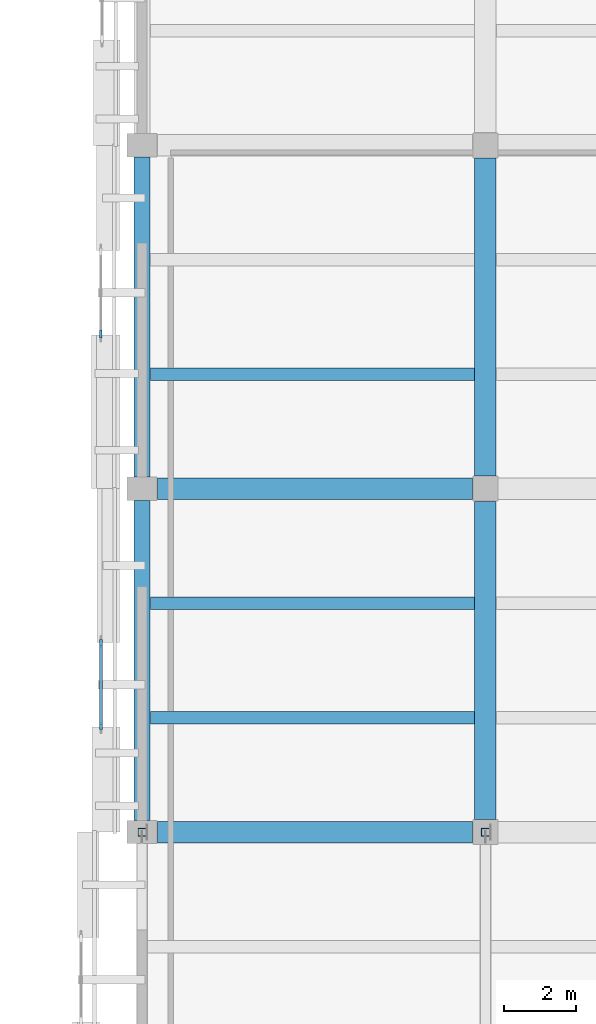
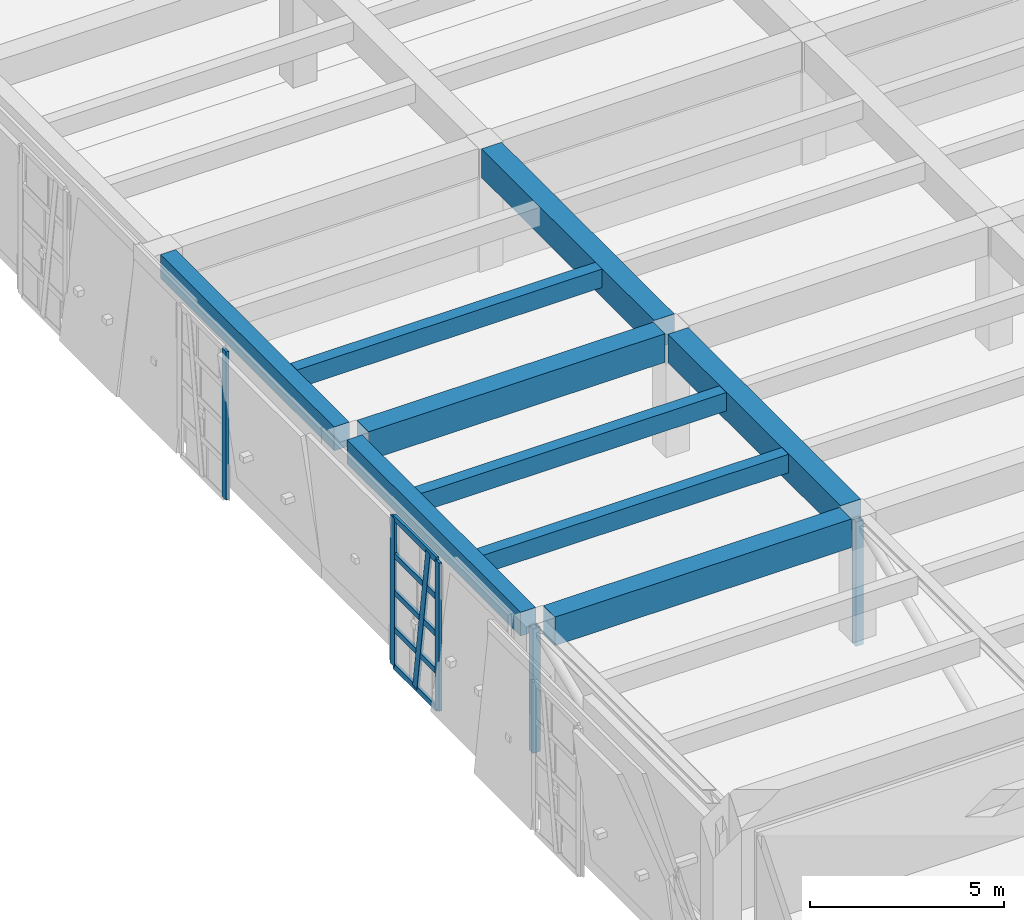
# One storey, part 6 of 62: 11 members, 9 beams, 2 elements without a shape of their own.
"""IFC4 building model written with IfcOpenShell, lengths in metres."""

import ifcopenshell
import ifcopenshell.guid

model = None  # the IFC model being written
_history = None  # IfcOwnerHistory: only IFC2X3 demands one
_inside = {}  # id of a spatial element -> (the spatial element, [elements in it])
_under = {}  # id of a project, library or spatial element -> (it, [spatial elements below it])
_declared = {}  # id of a project -> (the project, [libraries it declares])
_typed = {}  # id of a type object -> (the type object, [elements of that type])
_made_of = {}  # id of a material, layer set ... -> (it, [elements and type objects made of it])


def new_model(schema):
    """Start an empty IFC model of exactly this schema.

    Asked for "IFC4X3", IfcOpenShell would pick the latest addendum, in which some entities
    have other attributes; the version numbers below select the first issue.
    IFC2X3 requires an IfcOwnerHistory on every rooted entity: one is made here for all.
    """
    global model, _history
    if schema == "IFC4X3":
        model = ifcopenshell.file(schema_version=(4, 3, 0, 0))
    else:
        model = ifcopenshell.file(schema=schema)
    _inside.clear()
    _under.clear()
    _declared.clear()
    _typed.clear()
    _made_of.clear()
    _history = None
    if model.schema == "IFC2X3":
        org = make("IfcOrganization", Name="unknown")
        user = make(
            "IfcPersonAndOrganization",
            ThePerson=make("IfcPerson", FamilyName="unknown"),
            TheOrganization=org,
        )
        app = make(
            "IfcApplication",
            ApplicationDeveloper=org,
            Version="unknown",
            ApplicationFullName="unknown",
            ApplicationIdentifier="unknown",
        )
        _history = make(
            "IfcOwnerHistory",
            OwningUser=user,
            OwningApplication=app,
            ChangeAction="ADDED",
            CreationDate=0,
        )
    return model


def make(cls, **values):
    """One entity of the class cls with the attributes given. An attribute that is None is left unset."""
    return model.create_entity(
        cls, **{name: value for name, value in values.items() if value is not None}
    )


def rooted(cls, **values):
    """An entity with a GlobalId (a new one), such as an element, a storey or a relation."""
    return make(cls, GlobalId=ifcopenshell.guid.new(), OwnerHistory=_history, **values)


def si_unit(unit_type, name, prefix=None):
    """IfcSIUnit, for example si_unit("LENGTHUNIT", "METRE", prefix="MILLI")."""
    return make("IfcSIUnit", UnitType=unit_type, Prefix=prefix, Name=name)


def assignment(units):
    """IfcUnitAssignment: the units of a project."""
    return None if units is None else make("IfcUnitAssignment", Units=units)


def point(xyz):
    """IfcCartesianPoint."""
    return None if xyz is None else make("IfcCartesianPoint", Coordinates=xyz)


def direction(xyz):
    """IfcDirection."""
    return None if xyz is None else make("IfcDirection", DirectionRatios=xyz)


def frame(location, z_axis=None, x_axis=None):
    """IfcAxis2Placement3D, a coordinate frame: its origin and axes. An axis left out is left unset."""
    return make(
        "IfcAxis2Placement3D",
        Location=point(location),
        Axis=direction(z_axis),
        RefDirection=direction(x_axis),
    )


def frame_2d(location, x_axis=None):
    """IfcAxis2Placement2D, a coordinate frame in the plane: its origin and x axis."""
    return make(
        "IfcAxis2Placement2D", Location=point(location), RefDirection=direction(x_axis)
    )


def origin():
    """The frame at (0, 0, 0) with its axes left unset."""
    return frame((0.0, 0.0, 0.0))


def origin_2d():
    """The frame at (0, 0) in the plane with its x axis left unset."""
    return frame_2d((0.0, 0.0))


def place(relative_to, where):
    """IfcLocalPlacement: puts the frame where relative to a parent placement (None: the world)."""
    return make(
        "IfcLocalPlacement", PlacementRelTo=relative_to, RelativePlacement=where
    )


def context(
    kind, dimensions, precision=None, world=None, true_north=None, identifier=None
):
    """IfcGeometricRepresentationContext, for example the 3D "Model" context."""
    return make(
        "IfcGeometricRepresentationContext",
        ContextIdentifier=identifier,
        ContextType=kind,
        CoordinateSpaceDimension=dimensions,
        Precision=precision,
        WorldCoordinateSystem=world,
        TrueNorth=true_north,
    )


def subcontext(parent, identifier, kind, view, scale=None):
    """IfcGeometricRepresentationSubContext, for example "Body" below "Model"."""
    return make(
        "IfcGeometricRepresentationSubContext",
        ContextIdentifier=identifier,
        ContextType=kind,
        ParentContext=parent,
        TargetScale=scale,
        TargetView=view,
    )


def project(units=None, contexts=None):
    """IfcProject with its units and contexts."""
    return rooted(
        "IfcProject",
        Name="project",
        RepresentationContexts=contexts,
        UnitsInContext=assignment(units),
    )


def spatial(cls, under=None, at=None, **own):
    """A site, building, storey or space (cls), placed at a placement, below another one or the project."""
    s = rooted(cls, ObjectPlacement=at, **own)
    if under is not None:
        _under.setdefault(under.id(), (under, []))[1].append(s)
    return s


def profile(cls, at=None, kind="AREA", **sizes):
    """A parametric profile (cls). Its sizes go by their IFC names, for example OverallWidth=200.0."""
    return make(cls, ProfileType=kind, Position=at, **sizes)


def rectangle(**sizes):
    """IfcRectangleProfileDef."""
    return profile("IfcRectangleProfileDef", **sizes)


def hollow_rectangle(**sizes):
    """IfcRectangleHollowProfileDef."""
    return profile("IfcRectangleHollowProfileDef", **sizes)


def extrude(swept, where, along, depth):
    """IfcExtrudedAreaSolid: the profile swept, set in the frame where, extruded along a direction by depth."""
    return make(
        "IfcExtrudedAreaSolid",
        SweptArea=swept,
        Position=where,
        ExtrudedDirection=direction(along),
        Depth=depth,
    )


def shape(context_of_items, identifier, shape_type, items):
    """IfcShapeRepresentation: the items that make up one representation, for example the "Body"."""
    return make(
        "IfcShapeRepresentation",
        ContextOfItems=context_of_items,
        RepresentationIdentifier=identifier,
        RepresentationType=shape_type,
        Items=items,
    )


def material(Name=None, Category=None):
    """IfcMaterial."""
    return make("IfcMaterial", Name=Name, Category=Category)


def layer(
    of_material, thickness, ventilated=None, Name=None, Category=None, Priority=None
):
    """IfcMaterialLayer: one layer of a wall or slab, of a material (None: an air gap)."""
    return make(
        "IfcMaterialLayer",
        Material=of_material,
        LayerThickness=thickness,
        IsVentilated=ventilated,
        Name=Name,
        Category=Category,
        Priority=Priority,
    )


def layer_set(layers, Name=None):
    """IfcMaterialLayerSet."""
    return make("IfcMaterialLayerSet", MaterialLayers=layers, LayerSetName=Name)


def material_profile(
    of_material, cross_section, Name=None, Category=None, Priority=None
):
    """IfcMaterialProfile: a cross section and its material."""
    return make(
        "IfcMaterialProfile",
        Name=Name,
        Material=of_material,
        Profile=cross_section,
        Priority=Priority,
        Category=Category,
    )


def profile_set(profiles, Name=None, composite=None):
    """IfcMaterialProfileSet."""
    return make(
        "IfcMaterialProfileSet",
        Name=Name,
        MaterialProfiles=profiles,
        CompositeProfile=composite,
    )


def made_of(thing, what):
    """Note that an element or type object is made of a material, layer set ...; save() writes the relation."""
    if what is not None:
        _made_of.setdefault(what.id(), (what, []))[1].append(thing)
    return thing


def type_object(cls, material=None, **own):
    """A type object (cls), such as IfcWallType, which elements share."""
    return made_of(rooted(cls, **own), material)


def element(
    cls,
    number,
    at=None,
    inside=None,
    cuts=None,
    type_object=None,
    material=None,
    context=None,
    identifier="Body",
    shape_type=None,
    held_by="IfcProductDefinitionShape",
    body=None,
    shapes=None,
    **own,
):
    """One element of the class cls, such as IfcWall. Its Tag is "e" and its number.

    at: its placement. inside: the storey or other place that contains it. cuts: it is an
    opening in that element (IfcRelVoidsElement). A single representation is given by context,
    identifier, shape_type and body (its items); several are given by shapes. held_by: the class
    of the entity that holds the representations. save() writes the other relations.
    """
    e = rooted(cls, Tag="e%d" % number, ObjectPlacement=at, **own)
    if body is not None:
        shapes = [shape(context, identifier, shape_type, body)]
    if shapes is not None:
        e.Representation = make(held_by, Representations=shapes)
    if inside is not None:
        _inside.setdefault(inside.id(), (inside, []))[1].append(e)
    if cuts is not None:
        rooted(
            "IfcRelVoidsElement", RelatingBuildingElement=cuts, RelatedOpeningElement=e
        )
    if type_object is not None:
        _typed.setdefault(type_object.id(), (type_object, []))[1].append(e)
    return made_of(e, material)


def aggregate(whole, parts):
    """IfcRelAggregates: a whole, such as a stair, and the parts it consists of."""
    return rooted("IfcRelAggregates", RelatingObject=whole, RelatedObjects=parts)


def save(model, path):
    """Write the relations noted so far, then the file.

    IfcRelAggregates (storeys below a building ...), IfcRelContainedInSpatialStructure (elements
    in a storey), IfcRelDefinesByType, IfcRelAssociatesMaterial and IfcRelDeclares: one each for
    every whole, place, type object, material and project.
    """
    for whole, parts in _under.values():
        aggregate(whole, parts)
    for where, things in _inside.values():
        rooted(
            "IfcRelContainedInSpatialStructure",
            RelatedElements=things,
            RelatingStructure=where,
        )
    for kind, things in _typed.values():
        rooted("IfcRelDefinesByType", RelatedObjects=things, RelatingType=kind)
    for what, things in _made_of.values():
        rooted("IfcRelAssociatesMaterial", RelatedObjects=things, RelatingMaterial=what)
    for by, libraries in _declared.values():
        rooted("IfcRelDeclares", RelatingContext=by, RelatedDefinitions=libraries)
    model.write(path)


model = new_model("IFC4")

# Units and contexts
model_context = context("Model", 3, precision=1e-05, world=origin(), true_north=direction((0.0, 1.0)))
body_context = subcontext(model_context, "Body", "Model", "MODEL_VIEW")
ifc_project = project(units=[si_unit("LENGTHUNIT", "METRE"), si_unit("AREAUNIT", "SQUARE_METRE"), si_unit("VOLUMEUNIT", "CUBIC_METRE"), si_unit("PLANEANGLEUNIT", "RADIAN"), si_unit("MASSUNIT", "GRAM", prefix="KILO")], contexts=[model_context])

# Site, building, storey
site_placement = place(None, origin())
site = spatial("IfcSite", under=ifc_project, at=site_placement, CompositionType="ELEMENT")
building_placement = place(site_placement, origin())
building = spatial("IfcBuilding", under=site, at=building_placement, Name="Bempovik Park Faculty of Sciences", CompositionType="ELEMENT")
storey_placement = place(building_placement, frame((0.0, 0.0, 9.89990234375)))
storey = spatial("IfcBuildingStorey", under=building, at=storey_placement, Name="L02", CompositionType="ELEMENT", Elevation=9.89990234375)

# Beams
ifc_material_1 = material(Name="Concrete C35/45", Category="concrete")
ifc_material_profile_1 = material_profile(ifc_material_1, rectangle(XDim=0.35009765625, YDim=0.580078125, at=origin_2d()), Name="RC 350x580")
ifc_profile_set_1 = profile_set([ifc_material_profile_1], Name="Concrete C35/45")
beam_type_1 = type_object("IfcBeamType", Name="B-107 RC 350x580", PredefinedType="JOIST", material=ifc_profile_set_1)
for number, where, z_axis, x_axis, name in (
    (1, (60.23095703125, 42.199951171875, 3.610107421875), (1.0, 0.0, 0.0), (0.0, 1.0, 0.0), "L02 Secondary Joist (60.0-69.6, y=42.20)"),
    (2, (60.23095703125, 45.39990234375, 3.610107421875), (1.0, 0.0, 0.0), (0.0, 1.0, 0.0), "L02 Secondary Joist (60.0-69.6, y=45.40)"),
    (3, (60.23095703125, 51.800048828125, 3.610107421875), (1.0, 0.0, 0.0), (0.0, 1.0, 0.0), "L02 Secondary Joist (60.0-69.6, y=51.80)"),
):
    element("IfcBeam", number, at=place(storey_placement, frame(where, z_axis=z_axis, x_axis=x_axis)), inside=storey, type_object=beam_type_1, Name=name, PredefinedType="JOIST", context=body_context, shape_type="SweptSolid", body=[
        extrude(rectangle(XDim=0.35009765625, YDim=0.580078125, at=origin_2d()), origin(), (0.0, 0.0, 1.0), 9.06298828125),
    ])
ifc_material_2 = material(Name="Concrete C40/50", Category="concrete")
ifc_material_profile_2 = material_profile(ifc_material_2, rectangle(XDim=0.60009765625, YDim=0.89990234375, at=origin_2d()), Name="RC 600x900")
ifc_profile_set_2 = profile_set([ifc_material_profile_2], Name="Concrete C40/50")
beam_type_2 = type_object("IfcBeamType", Name="B-115 RC 600x900", PredefinedType="BEAM", material=ifc_profile_set_2)
for number, where, z_axis, x_axis, name in (
    (4, (60.430908203125, 39.0, 3.4501953125), (1.0, 0.0, 0.0), (0.0, 1.0, 0.0), "L02 Beam X (60.0-69.6, y=39.0)"),
    (5, (60.430908203125, 48.60009765625, 3.4501953125), (1.0, 0.0, 0.0), (0.0, 1.0, 0.0), "L02 Beam X (60.0-69.6, y=48.6)"),
):
    element("IfcBeam", number, at=place(storey_placement, frame(where, z_axis=z_axis, x_axis=x_axis)), inside=storey, type_object=beam_type_2, Name=name, PredefinedType="BEAM", context=body_context, shape_type="SweptSolid", body=[
        extrude(rectangle(XDim=0.60009765625, YDim=0.89990234375, at=origin_2d()), origin(), (0.0, 0.0, 1.0), 8.81298828125),
    ])
for number, where, z_axis, x_axis, name in (
    (6, (69.60009765625, 39.35595703125, 3.4501953125), (0.0, 1.0, 0.0), (-1.0, 0.0, 0.0), "L02 Beam Y (x=69.6, 39.0-48.6)"),
    (7, (69.60009765625, 48.9560546875, 3.4501953125), (0.0, 1.0, 0.0), (-1.0, 0.0, 0.0), "L02 Beam Y (x=69.6, 48.6-58.2)"),
):
    element("IfcBeam", number, at=place(storey_placement, frame(where, z_axis=z_axis, x_axis=x_axis)), inside=storey, type_object=beam_type_2, Name=name, PredefinedType="BEAM", context=body_context, shape_type="SweptSolid", body=[
        extrude(rectangle(XDim=0.60009765625, YDim=0.89990234375, at=origin_2d()), origin(), (0.0, 0.0, 1.0), 8.887939453125),
    ])
ifc_material_profile_3 = material_profile(ifc_material_2, rectangle(XDim=0.449951171875, YDim=0.75, at=origin_2d()), Name="RC 450x750")
ifc_profile_set_3 = profile_set([ifc_material_profile_3], Name="Concrete C40/50")
beam_type_3 = type_object("IfcBeamType", Name="B-130 RC 450x750", PredefinedType="SPANDREL", material=ifc_profile_set_3)
for number, where, z_axis, x_axis, name in (
    (8, (60.0, 39.3310546875, 3.525146484375), (0.0, 1.0, 0.0), (-1.0, 0.0, 0.0), "L02 Beam Y (x=60.0, 39.0-48.6)"),
    (9, (60.0, 48.930908203125, 3.525146484375), (0.0, 1.0, 0.0), (-1.0, 0.0, 0.0), "L02 Beam Y (x=60.0, 48.6-58.2)"),
):
    element("IfcBeam", number, at=place(storey_placement, frame(where, z_axis=z_axis, x_axis=x_axis)), inside=storey, type_object=beam_type_3, Name=name, PredefinedType="SPANDREL", context=body_context, shape_type="SweptSolid", body=[
        extrude(rectangle(XDim=0.449951171875, YDim=0.75, at=origin_2d()), origin(), (0.0, 0.0, 1.0), 8.93798828125),
    ])

# Members
ifc_material_3 = material(Name="Steel S355", Category="steel")
ifc_material_profile_4 = material_profile(ifc_material_3, hollow_rectangle(XDim=0.219970703125, YDim=0.219970703125, WallThickness=0.010009765625, at=origin_2d()), Name="SHS 220x220x10")
ifc_profile_set_4 = profile_set([ifc_material_profile_4], Name="Steel S355")
member_type_1 = type_object("IfcMemberType", Name="M-32 SHS 220x220x10", PredefinedType="POST", material=ifc_profile_set_4)
for number, where, z_axis, x_axis, name in (
    (10, (60.0, 39.0, -0.31396484375), (0.0, 0.0, 1.0), (1.0, 0.0, 0.0), "Cantilever Truss 1 L02 Post 5"),
    (11, (69.60009765625, 39.0, -0.31396484375), (0.0, 0.0, 1.0), (1.0, 0.0, 0.0), "Cantilever Truss 2 L02 Post 5"),
):
    element("IfcMember", number, at=place(storey_placement, frame(where, z_axis=z_axis, x_axis=x_axis)), inside=storey, type_object=member_type_1, Name=name, PredefinedType="POST", context=body_context, shape_type="SweptSolid", body=[
        extrude(hollow_rectangle(XDim=0.219970703125, YDim=0.219970703125, WallThickness=0.010009765625, at=origin_2d()), origin(), (0.0, 0.0, 1.0), 3.907958984375),
    ])

# Curtain wall, members
ifc_material_4 = material(Name="Tempered laminated low-E glass", Category="glass")
ifc_layer = layer(ifc_material_4, 0.159912109375)
ifc_layer_set = layer_set([ifc_layer], Name="Tempered laminated low-E glass")
curtain_wall_type = type_object("IfcCurtainWallType", Name="CW-61 Curtain 2400x4200", PredefinedType="USERDEFINED", material=ifc_layer_set)
curtain_wall_1_placement = place(storey_placement, origin())
curtain_wall_1 = element("IfcCurtainWall", 12, at=curtain_wall_1_placement, inside=storey, type_object=curtain_wall_type, Name="L02 Crystal Slantwise Light Fold (60.0,39.0)", ObjectType="UNITISED CURTAIN WALL", PredefinedType="USERDEFINED")
ifc_material_5 = material(Name="Anodised architectural bronze", Category="aluminium")
ifc_material_profile_5 = material_profile(ifc_material_5, rectangle(XDim=0.080078125, YDim=0.219970703125, at=origin_2d()), Name="ALU-M 80x220")
ifc_profile_set_5 = profile_set([ifc_material_profile_5], Name="Anodised architectural bronze")
member_type_2 = type_object("IfcMemberType", Name="ML-29 ALU-M 80x220", PredefinedType="MULLION", material=ifc_profile_set_5)
member_1_placement = place(storey_placement, frame((58.855712890625, 41.97509765625, -0.419921875), z_axis=(0.0, 0.0, 1.0), x_axis=(1.0, 0.0, 0.0)))
member_1 = element("IfcMember", 13, at=member_1_placement, type_object=member_type_2, Name="CW-FOLD-L02-600-390 Mullion 0", PredefinedType="MULLION", context=body_context, shape_type="SweptSolid", body=[
    extrude(rectangle(XDim=0.080078125, YDim=0.219970703125, at=origin_2d()), origin(), (0.0, 0.0, 1.0), 4.659912109375),
])
member_2_placement = place(storey_placement, frame((58.855712890625, 43.125, -0.419921875), z_axis=(0.0, -0.144381979777, 0.989522028009), x_axis=(1.0, 0.0, 0.0)))
member_2 = element("IfcMember", 14, at=member_2_placement, type_object=member_type_2, Name="CW-FOLD-L02-600-390 Mullion 1", PredefinedType="MULLION", context=body_context, shape_type="SweptSolid", body=[
    extrude(rectangle(XDim=0.080078125, YDim=0.219970703125, at=origin_2d()), origin(), (0.0, 0.0, 1.0), 4.709228515625),
])
member_3_placement = place(storey_placement, frame((58.855712890625, 44.27490234375, -0.419921875), z_axis=(0.0, 0.0, 1.0), x_axis=(1.0, 0.0, 0.0)))
member_3 = element("IfcMember", 15, at=member_3_placement, type_object=member_type_2, Name="CW-FOLD-L02-600-390 Mullion 2", PredefinedType="MULLION", context=body_context, shape_type="SweptSolid", body=[
    extrude(rectangle(XDim=0.080078125, YDim=0.219970703125, at=origin_2d()), origin(), (0.0, 0.0, 1.0), 4.659912109375),
])

# Curtain wall, member
curtain_wall_2_placement = place(storey_placement, origin())
curtain_wall_2 = element("IfcCurtainWall", 16, at=curtain_wall_2_placement, inside=storey, type_object=curtain_wall_type, Name="L02 Crystal Slantwise Light Fold (60.0,48.6)", ObjectType="UNITISED CURTAIN WALL", PredefinedType="USERDEFINED")
member_4_placement = place(storey_placement, frame((58.84765625, 52.925048828125, -0.419921875), z_axis=(0.0, 0.0, 1.0), x_axis=(1.0, 0.0, 0.0)))
member_4 = element("IfcMember", 17, at=member_4_placement, type_object=member_type_2, Name="CW-FOLD-L02-600-486 Mullion 0", PredefinedType="MULLION", context=body_context, shape_type="SweptSolid", body=[
    extrude(rectangle(XDim=0.080078125, YDim=0.219970703125, at=origin_2d()), origin(), (0.0, 0.0, 1.0), 4.659912109375),
])
aggregate(curtain_wall_2, [member_4])

# Member
ifc_material_profile_6 = material_profile(ifc_material_5, rectangle(XDim=0.080078125, YDim=0.179931640625, at=origin_2d()), Name="ALU-T 80x180")
ifc_profile_set_6 = profile_set([ifc_material_profile_6], Name="Anodised architectural bronze")
member_type_3 = type_object("IfcMemberType", Name="TR-29 ALU-T 80x180", PredefinedType="USERDEFINED", material=ifc_profile_set_6)
member_5_placement = place(storey_placement, frame((58.855712890625, 42.014892578125, -0.419921875), z_axis=(0.0, 1.0, 0.0), x_axis=(-1.0, 0.0, 0.0)))
member_5 = element("IfcMember", 18, at=member_5_placement, type_object=member_type_3, Name="CW-FOLD-L02-600-390 Transom 0", ObjectType="TRANSOM", PredefinedType="USERDEFINED", context=body_context, shape_type="SweptSolid", body=[
    extrude(rectangle(XDim=0.080078125, YDim=0.179931640625, at=origin_2d()), origin(), (0.0, 0.0, 1.0), 2.22021484375),
])

member_6_placement = place(storey_placement, frame((58.855712890625, 42.014892578125, 0.7451171875), z_axis=(0.0, 1.0, 0.0), x_axis=(-1.0, 0.0, 0.0)))
member_6 = element("IfcMember", 19, at=member_6_placement, type_object=member_type_3, Name="CW-FOLD-L02-600-390 Transom 1", ObjectType="TRANSOM", PredefinedType="USERDEFINED", context=body_context, shape_type="SweptSolid", body=[
    extrude(rectangle(XDim=0.080078125, YDim=0.179931640625, at=origin_2d()), origin(), (0.0, 0.0, 1.0), 2.22021484375),
])

member_7_placement = place(storey_placement, frame((58.855712890625, 42.014892578125, 1.91015625), z_axis=(0.0, 1.0, 0.0), x_axis=(-1.0, 0.0, 0.0)))
member_7 = element("IfcMember", 20, at=member_7_placement, type_object=member_type_3, Name="CW-FOLD-L02-600-390 Transom 2", ObjectType="TRANSOM", PredefinedType="USERDEFINED", context=body_context, shape_type="SweptSolid", body=[
    extrude(rectangle(XDim=0.080078125, YDim=0.179931640625, at=origin_2d()), origin(), (0.0, 0.0, 1.0), 2.22021484375),
])

member_8_placement = place(storey_placement, frame((58.855712890625, 42.014892578125, 3.0751953125), z_axis=(0.0, 1.0, 0.0), x_axis=(-1.0, 0.0, 0.0)))
member_8 = element("IfcMember", 21, at=member_8_placement, type_object=member_type_3, Name="CW-FOLD-L02-600-390 Transom 3", ObjectType="TRANSOM", PredefinedType="USERDEFINED", context=body_context, shape_type="SweptSolid", body=[
    extrude(rectangle(XDim=0.080078125, YDim=0.179931640625, at=origin_2d()), origin(), (0.0, 0.0, 1.0), 2.22021484375),
])

member_9_placement = place(storey_placement, frame((58.855712890625, 42.014892578125, 4.239990234375), z_axis=(0.0, 1.0, 0.0), x_axis=(-1.0, 0.0, 0.0)))
member_9 = element("IfcMember", 22, at=member_9_placement, type_object=member_type_3, Name="CW-FOLD-L02-600-390 Transom 4", ObjectType="TRANSOM", PredefinedType="USERDEFINED", context=body_context, shape_type="SweptSolid", body=[
    extrude(rectangle(XDim=0.080078125, YDim=0.179931640625, at=origin_2d()), origin(), (0.0, 0.0, 1.0), 2.22021484375),
])

aggregate(curtain_wall_1, [member_1, member_2, member_3, member_5, member_6, member_7, member_8, member_9])

save(model, "model.ifc")
